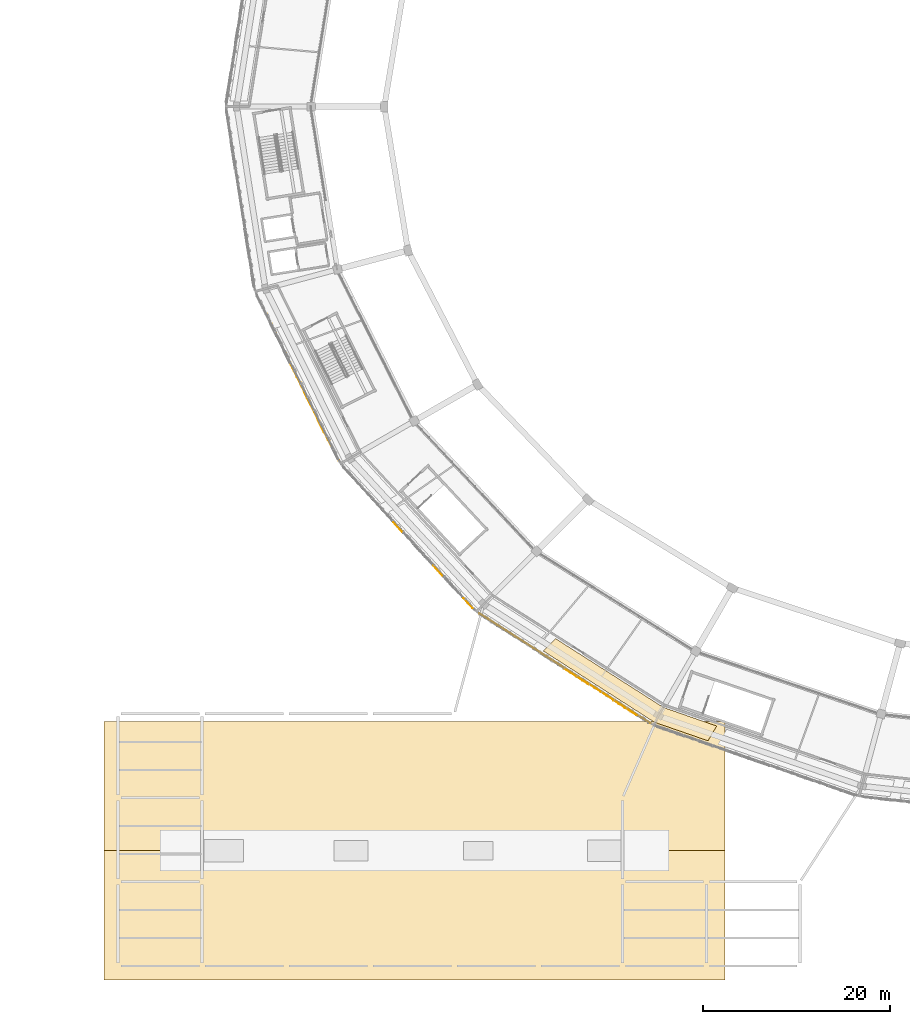
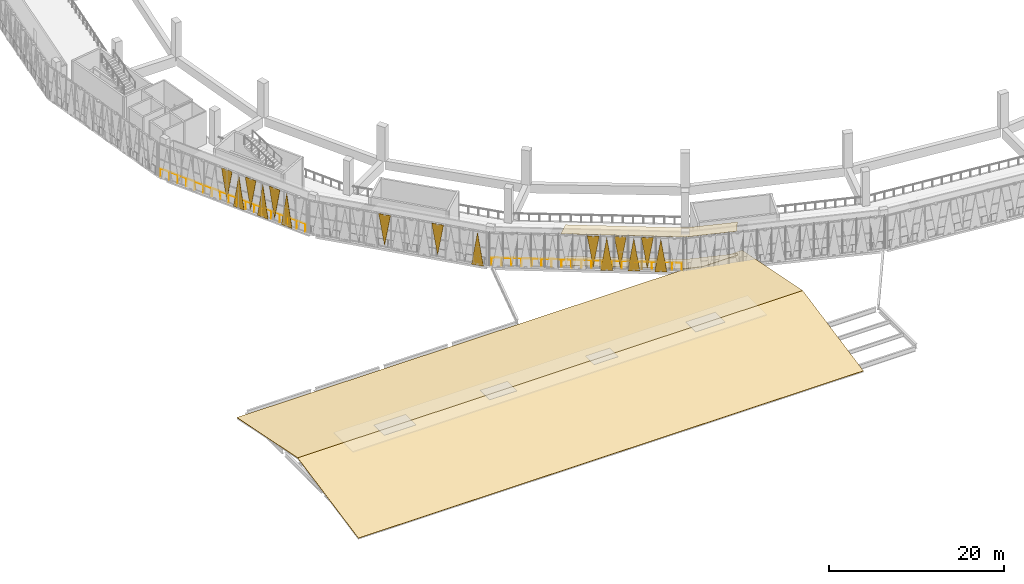
# One storey, part 82 of 108: 19 coverings, 2 railings.
"""IFC4 building model written with IfcOpenShell, lengths in metres."""

from ifc_helpers import new_model, si_unit, direction, frame, origin, origin_2d, place, context, subcontext, project, spatial, polyline, circle, outline, extrude, material, layer, layer_set, type_object, element, save


model = new_model("IFC4")

# Units and contexts
model_context = context("Model", 3, precision=1e-05, world=origin(), true_north=direction((0.0, 1.0)))
body_context = subcontext(model_context, "Body", "Model", "MODEL_VIEW")
ifc_project = project(units=[si_unit("LENGTHUNIT", "METRE"), si_unit("AREAUNIT", "SQUARE_METRE"), si_unit("VOLUMEUNIT", "CUBIC_METRE"), si_unit("PLANEANGLEUNIT", "RADIAN"), si_unit("MASSUNIT", "GRAM", prefix="KILO")], contexts=[model_context])

# Site, building, storey
site_placement = place(None, origin())
site = spatial("IfcSite", under=ifc_project, at=site_placement, CompositionType="ELEMENT")
building_placement = place(site_placement, origin())
building = spatial("IfcBuilding", under=site, at=building_placement, Name="Zevraka Park Crest Stadium", CompositionType="ELEMENT")
storey_placement = place(building_placement, frame((0.0, 0.0, 19.800048828125)))
storey = spatial("IfcBuildingStorey", under=building, at=storey_placement, Name="L04", CompositionType="ELEMENT", Elevation=19.800048828125)

# Coverings
ifc_material_1 = material(Name="Architectural golden-bronze perforated aluminium", Category="aluminium")
ifc_layer_1 = layer(ifc_material_1, 0.034912109375)
ifc_layer_set_1 = layer_set([ifc_layer_1], Name="Architectural golden-bronze perforated aluminium")
covering_type_1 = type_object("IfcCoveringType", Name="CLD01", PredefinedType="CLADDING", material=ifc_layer_set_1)
covering_1_placement = place(storey_placement, frame((28.153076171875, 63.047119140625, 4.52001953125), z_axis=(-0.896168160385, -0.443714539024, 0.00019018377), x_axis=(-0.443714547049, 0.896168176593, 0.0)))
element("IfcCovering", 1, at=covering_1_placement, inside=storey, type_object=covering_type_1, Name="Triangular Golden-Bronze Perforated Cladding L04-13-6", PredefinedType="CLADDING", context=body_context, shape_type="SweptSolid", body=[
    extrude(outline(polyline([(0.0, 0.0), (1.480642061984624, 0.0), (0.7400448752125611, 4.3000489058910984), (0.0, 0.0)])), origin(), (0.0, 0.0, -1.0), 0.034912109375),
])
covering_2_placement = place(storey_placement, frame((28.22412109375, 62.903076171875, -0.219970703125), z_axis=(-0.896200626704, -0.443648985736, 0.000118961507), x_axis=(0.443648988875, -0.896200633045, 0.0)))
element("IfcCovering", 2, at=covering_2_placement, inside=storey, type_object=covering_type_1, Name="Triangular Golden-Bronze Perforated Cladding L04-13-7", PredefinedType="CLADDING", context=body_context, shape_type="SweptSolid", body=[
    extrude(outline(polyline([(0.0, 0.0), (1.4808608570056243, 0.0), (0.7401552996495949, 4.579834016781541), (0.0, 0.0)])), origin(), (0.0, 0.0, -1.0), 0.034912109375),
])
covering_3_placement = place(storey_placement, frame((29.610107421875, 60.10595703125, 4.52001953125), z_axis=(0.895872759061, 0.444310698754, 5.0452586e-05), x_axis=(-0.44431069932, 0.895872760201, 0.0)))
element("IfcCovering", 3, at=covering_3_placement, inside=storey, type_object=covering_type_1, Name="Triangular Golden-Bronze Perforated Cladding L04-13-8", PredefinedType="CLADDING", context=body_context, shape_type="SweptSolid", body=[
    extrude(outline(polyline([(0.0, 0.0), (1.481402824662643, 0.0), (0.7411388502025134, -4.300048833597808), (0.0, 0.0)])), origin(), (0.0, 0.0, -1.0), 0.034912109375),
])
covering_4_placement = place(storey_placement, frame((29.680908203125, 59.962890625, -0.219970703125), z_axis=(-0.896168173435, -0.443714545485, 8.3951629e-05), x_axis=(0.443714547049, -0.896168176593, 0.0)))
element("IfcCovering", 4, at=covering_4_placement, inside=storey, type_object=covering_type_1, Name="Triangular Golden-Bronze Perforated Cladding L04-13-9", PredefinedType="CLADDING", context=body_context, shape_type="SweptSolid", body=[
    extrude(outline(polyline([(0.0, 0.0), (1.480642061984624, -6.776263578034403e-21), (0.7409200394475148, 4.579834000514052), (0.0, 0.0)])), origin(), (0.0, 0.0, -1.0), 0.034912109375),
])
covering_5_placement = place(storey_placement, frame((31.06689453125, 57.166015625, 4.52001953125), z_axis=(0.895775587615, 0.444506574963, 3.8048094e-05), x_axis=(-0.444506575285, 0.895775588264, 0.0)))
element("IfcCovering", 5, at=covering_5_placement, inside=storey, type_object=covering_type_1, Name="Triangular Golden-Bronze Perforated Cladding L04-13-10", PredefinedType="CLADDING", context=body_context, shape_type="SweptSolid", body=[
    extrude(outline(polyline([(0.0, 0.0), (1.4802007910768735, 3.3881317890172014e-21), (0.7401554820878727, -4.3000488312375), (0.0, 0.0)])), origin(), (0.0, 0.0, -1.0), 0.034912109375),
])
covering_6_placement = place(storey_placement, frame((31.137939453125, 57.02197265625, -0.219970703125), z_axis=(-0.89616816584, -0.443714541725, 0.000154911894), x_axis=(0.443714547049, -0.896168176593, 0.0)))
element("IfcCovering", 6, at=covering_6_placement, inside=storey, type_object=covering_type_1, Name="Triangular Golden-Bronze Perforated Cladding L04-13-11", PredefinedType="CLADDING", context=body_context, shape_type="SweptSolid", body=[
    extrude(outline(polyline([(0.0, 0.0), (1.480642061984624, 0.0), (0.7402636662712996, 4.579834039327731), (0.0, 0.0)])), origin(), (0.0, 0.0, -1.0), 0.034912109375),
])
covering_7_placement = place(storey_placement, frame((39.43994140625, 46.470947265625, 4.52001953125), z_axis=(0.736691824454, 0.676228626586, 1.9196861e-05), x_axis=(-0.67622862671, 0.73669182459, 0.0)))
element("IfcCovering", 7, at=covering_7_placement, inside=storey, type_object=covering_type_1, Name="Triangular Golden-Bronze Perforated Cladding L04-14-6", PredefinedType="CLADDING", context=body_context, shape_type="SweptSolid", body=[
    extrude(outline(polyline([(0.0, 0.0), (1.4253569716340697, -1.6940658945086007e-21), (0.7127684140182788, -4.300048828917326), (0.0, 0.0)])), origin(), (0.0, 0.0, -1.0), 0.034912109375),
])
covering_8_placement = place(storey_placement, frame((43.72607421875, 41.800048828125, 4.52001953125), z_axis=(0.736947844545, 0.675949603983, 8.5413888e-05), x_axis=(-0.675949606449, 0.736947847233, 0.0)))
element("IfcCovering", 8, at=covering_8_placement, inside=storey, type_object=covering_type_1, Name="Triangular Golden-Bronze Perforated Cladding L04-14-10", PredefinedType="CLADDING", context=body_context, shape_type="SweptSolid", body=[
    extrude(outline(polyline([(0.0, 0.0), (1.4248617891578852, 1.3552527156068805e-20), (0.7119283682264674, -4.300048843810572), (0.0, 0.0)])), origin(), (0.0, 0.0, -1.0), 0.034912109375),
])
covering_9_placement = place(storey_placement, frame((45.97802734375, 39.345947265625, -0.219970703125), z_axis=(-0.73669182447, -0.6762286266, 1.8024112e-05), x_axis=(0.67622862671, -0.73669182459, 0.0)))
element("IfcCovering", 9, at=covering_9_placement, inside=storey, type_object=covering_type_1, Name="Triangular Golden-Bronze Perforated Cladding L04-14-13", PredefinedType="CLADDING", context=body_context, shape_type="SweptSolid", body=[
    extrude(outline(polyline([(0.0, 0.0), (1.4253569716340697, -3.3881317890172014e-21), (0.712588557615791, 4.579833985118923), (0.0, 0.0)])), origin(), (0.0, 0.0, -1.0), 0.034912109375),
])
covering_10_placement = place(storey_placement, frame((58.007080078125, 31.037109375, 4.52001953125), z_axis=(0.53966931609, 0.841877076293, 0.000132978723), x_axis=(-0.841877083737, 0.539669320861, 0.0)))
element("IfcCovering", 10, at=covering_10_placement, inside=storey, type_object=covering_type_1, Name="Triangular Golden-Bronze Perforated Cladding L04-15-8", PredefinedType="CLADDING", context=body_context, shape_type="SweptSolid", body=[
    extrude(outline(polyline([(0.0, 0.0), (1.383858861354129, 1.3552527156068805e-20), (0.6917159906902037, -4.300048866144615), (0.0, 0.0)])), origin(), (0.0, 0.0, -1.0), 0.034912109375),
])
covering_11_placement = place(storey_placement, frame((58.14208984375, 30.950927734375, -0.219970703125), z_axis=(0.540374248982, 0.841424785213, 4.32092e-05), x_axis=(0.841424785998, -0.540374249486, 0.0)))
element("IfcCovering", 11, at=covering_11_placement, inside=storey, type_object=covering_type_1, Name="Triangular Golden-Bronze Perforated Cladding L04-15-9", PredefinedType="CLADDING", context=body_context, shape_type="SweptSolid", body=[
    extrude(outline(polyline([(0.0, 0.0), (1.38431258652916, 6.776263578034403e-21), (0.6918481543048638, -4.579833988650356), (0.0, 0.0)])), origin(), (0.0, 0.0, -1.0), 0.034912109375),
])
covering_12_placement = place(storey_placement, frame((60.60595703125, 29.3701171875, 4.52001953125), z_axis=(-0.539669319947, -0.84187708231, 5.8215753e-05), x_axis=(-0.841877083737, 0.539669320861, 0.0)))
element("IfcCovering", 12, at=covering_12_placement, inside=storey, type_object=covering_type_1, Name="Triangular Golden-Bronze Perforated Cladding L04-15-10", PredefinedType="CLADDING", context=body_context, shape_type="SweptSolid", body=[
    extrude(outline(polyline([(0.0, 0.0), (1.383858861354129, -6.776263578034403e-21), (0.6911889698690501, 4.300048835411593), (0.0, 0.0)])), origin(), (0.0, 0.0, -1.0), 0.034912109375),
])
covering_13_placement = place(storey_placement, frame((60.740966796875, 29.282958984375, -0.219970703125), z_axis=(-0.539794341765, -0.841796927746, 3.2198154e-05), x_axis=(0.841796928182, -0.539794342045, 0.0)))
element("IfcCovering", 13, at=covering_13_placement, inside=storey, type_object=covering_type_1, Name="Triangular Golden-Bronze Perforated Cladding L04-15-11", PredefinedType="CLADDING", context=body_context, shape_type="SweptSolid", body=[
    extrude(outline(polyline([(0.0, 0.0), (1.3839906318215187, 0.0), (0.691320710798344, 4.579833986749005), (0.0, 0.0)])), origin(), (0.0, 0.0, -1.0), 0.034912109375),
])
covering_14_placement = place(storey_placement, frame((63.205078125, 27.701904296875, 4.52001953125), z_axis=(0.540294068724, 0.841476271524, 6.1351737e-05), x_axis=(-0.841476273108, 0.540294069741, 0.0)))
element("IfcCovering", 14, at=covering_14_placement, inside=storey, type_object=covering_type_1, Name="Triangular Golden-Bronze Perforated Cladding L04-15-12", PredefinedType="CLADDING", context=body_context, shape_type="SweptSolid", body=[
    extrude(outline(polyline([(0.0, 0.0), (1.384518018787818, 0.0), (0.6918481323074307, -4.300048836217768), (0.0, 0.0)])), origin(), (0.0, 0.0, -1.0), 0.034912109375),
])
covering_15_placement = place(storey_placement, frame((63.340087890625, 27.615966796875, -0.219970703125), z_axis=(0.540195363018, 0.841539639055, 7.5322864e-05), x_axis=(0.841539641442, -0.54019536455, 0.0)))
element("IfcCovering", 15, at=covering_15_placement, inside=storey, type_object=covering_type_1, Name="Triangular Golden-Bronze Perforated Cladding L04-15-13", PredefinedType="CLADDING", context=body_context, shape_type="SweptSolid", body=[
    extrude(outline(polyline([(0.0, 0.0), (1.382963204657725, 1.3552527156068805e-20), (0.6918480966037213, -4.57983399736692), (0.0, 0.0)])), origin(), (0.0, 0.0, -1.0), 0.034912109375),
])
ifc_material_2 = material(Name="Perforated acoustic mineral-fibre suspended ceiling", Category="other")
ifc_layer_2 = layer(ifc_material_2, 0.02490234375)
ifc_layer_set_2 = layer_set([ifc_layer_2], Name="Perforated acoustic mineral-fibre suspended ceiling")
covering_type_2 = type_object("IfcCoveringType", Name="CLG01", PredefinedType="CEILING", material=ifc_layer_set_2)
covering_16_placement = place(storey_placement, frame((0.0, 0.0, 4.39990234375)))
element("IfcCovering", 16, at=covering_16_placement, inside=storey, type_object=covering_type_2, Name="Acoustic Ceiling Hospitality Suite L04-036", PredefinedType="CEILING", context=body_context, shape_type="SweptSolid", body=[
    extrude(outline(polyline([(54.51904296875, 33.72705078125), (55.847900390625, 35.0400390625), (67.362060546875, 27.693115234375), (67.383056640625, 27.681884765625), (67.404052734375, 27.673095703125), (73.087890625, 25.68701171875), (72.152099609375, 24.10888671875), (66.422119140625, 26.092041015625), (54.51904296875, 33.72705078125)])), origin(), (0.0, 0.0, 1.0), 0.025146484375),
])
ifc_material_3 = material(Name="Honed terrazzo and slip-resistant sports flooring", Category="other")
ifc_layer_3 = layer(ifc_material_3, 0.0400390625)
ifc_layer_set_3 = layer_set([ifc_layer_3], Name="Honed terrazzo and slip-resistant sports flooring")
covering_type_3 = type_object("IfcCoveringType", Name="FLR01", PredefinedType="FLOORING", material=ifc_layer_set_3)
covering_17_placement = place(storey_placement, origin())
element("IfcCovering", 17, at=covering_17_placement, inside=storey, type_object=covering_type_3, Name="Terrazzo Floor Finish Hospitality Suite L04-036", PredefinedType="FLOORING", context=body_context, shape_type="SweptSolid", body=[
    extrude(outline(polyline([(54.51904296875, 33.72705078125), (55.847900390625, 35.0400390625), (67.362060546875, 27.693115234375), (67.383056640625, 27.681884765625), (67.404052734375, 27.673095703125), (73.087890625, 25.68701171875), (72.152099609375, 24.10888671875), (66.422119140625, 26.092041015625), (54.51904296875, 33.72705078125)])), origin(), (0.0, 0.0, 1.0), 0.0400390625),
])

# Railings
ifc_material_4 = material(Name="Galvanised and bronze-finished steel balustrade", Category="steel")
railing_type = type_object("IfcRailingType", Name="GR01", PredefinedType="GUARDRAIL", material=ifc_material_4)
railing_1_placement = place(storey_placement, frame((65.98193359375, 26.00390625, 0.0)))
element("IfcRailing", 18, at=railing_1_placement, inside=storey, type_object=railing_type, Name="Deck Edge Protection Guardrail GR01 L04-21", PredefinedType="GUARDRAIL", context=body_context, shape_type="SweptSolid", body=[
    extrude(circle(Radius=0.02392578125, at=origin_2d()), frame((0.0, 0.0, 1.076171875), z_axis=(-0.84169215784, 0.539957694111, 0.0), x_axis=(-0.539957694111, -0.84169215784, 0.0)), (0.0, 0.0, 1.0), 21.75732421875),
    extrude(circle(Radius=0.02099609375, at=origin_2d()), origin(), (0.0, 0.0, 1.0), 1.052001953125),
    extrude(circle(Radius=0.02099609375, at=origin_2d()), frame((-0.9638671875, 0.618408203125, 0.0)), (0.0, 0.0, 1.0), 1.052001953125),
    extrude(circle(Radius=0.02099609375, at=origin_2d()), frame((-1.927734375, 1.236572265625, 0.0)), (0.0, 0.0, 1.0), 1.052001953125),
    extrude(circle(Radius=0.02099609375, at=origin_2d()), frame((-2.8916015625, 1.85498046875, 0.0)), (0.0, 0.0, 1.0), 1.052001953125),
    extrude(circle(Radius=0.02099609375, at=origin_2d()), frame((-3.85546875, 2.473388671875, 0.0)), (0.0, 0.0, 1.0), 1.052001953125),
    extrude(circle(Radius=0.02099609375, at=origin_2d()), frame((-4.819091796875, 3.091552734375, 0.0)), (0.0, 0.0, 1.0), 1.052001953125),
    extrude(circle(Radius=0.02099609375, at=origin_2d()), frame((-5.782958984375, 3.7099609375, 0.0)), (0.0, 0.0, 1.0), 1.052001953125),
    extrude(circle(Radius=0.02099609375, at=origin_2d()), frame((-6.746826171875, 4.328125, 0.0)), (0.0, 0.0, 1.0), 1.052001953125),
    extrude(circle(Radius=0.02099609375, at=origin_2d()), frame((-7.710693359375, 4.946533203125, 0.0)), (0.0, 0.0, 1.0), 1.052001953125),
    extrude(circle(Radius=0.02099609375, at=origin_2d()), frame((-8.674560546875, 5.56494140625, 0.0)), (0.0, 0.0, 1.0), 1.052001953125),
    extrude(circle(Radius=0.02099609375, at=origin_2d()), frame((-9.638427734375, 6.18310546875, 0.0)), (0.0, 0.0, 1.0), 1.052001953125),
    extrude(circle(Radius=0.02099609375, at=origin_2d()), frame((-10.602294921875, 6.801513671875, 0.0)), (0.0, 0.0, 1.0), 1.052001953125),
    extrude(circle(Radius=0.02099609375, at=origin_2d()), frame((-11.566162109375, 7.419921875, 0.0)), (0.0, 0.0, 1.0), 1.052001953125),
    extrude(circle(Radius=0.02099609375, at=origin_2d()), frame((-12.530029296875, 8.0380859375, 0.0)), (0.0, 0.0, 1.0), 1.052001953125),
    extrude(circle(Radius=0.02099609375, at=origin_2d()), frame((-13.493896484375, 8.656494140625, 0.0)), (0.0, 0.0, 1.0), 1.052001953125),
    extrude(circle(Radius=0.02099609375, at=origin_2d()), frame((-14.45751953125, 9.274658203125, 0.0)), (0.0, 0.0, 1.0), 1.052001953125),
    extrude(circle(Radius=0.02099609375, at=origin_2d()), frame((-15.42138671875, 9.89306640625, 0.0)), (0.0, 0.0, 1.0), 1.052001953125),
    extrude(circle(Radius=0.02099609375, at=origin_2d()), frame((-16.38525390625, 10.511474609375, 0.0)), (0.0, 0.0, 1.0), 1.052001953125),
    extrude(circle(Radius=0.02099609375, at=origin_2d()), frame((-17.34912109375, 11.129638671875, 0.0)), (0.0, 0.0, 1.0), 1.052001953125),
    extrude(circle(Radius=0.02099609375, at=origin_2d()), frame((-18.31298828125, 11.748046875, 0.0)), (0.0, 0.0, 1.0), 1.052001953125),
])
railing_2_placement = place(storey_placement, frame((32.659912109375, 54.10791015625, 0.0)))
element("IfcRailing", 19, at=railing_2_placement, inside=storey, type_object=railing_type, Name="Deck Edge Protection Guardrail GR01 L04-23", PredefinedType="GUARDRAIL", context=body_context, shape_type="SweptSolid", body=[
    extrude(circle(Radius=0.02392578125, at=origin_2d()), frame((0.0, 0.0, 1.076171875), z_axis=(-0.443938119451, 0.896057445758, 0.0), x_axis=(-0.896057445758, -0.443938119451, 0.0)), (0.0, 0.0, 1.0), 19.8447265625),
    extrude(circle(Radius=0.02099609375, at=origin_2d()), origin(), (0.0, 0.0, 1.0), 1.052001953125),
    extrude(circle(Radius=0.02099609375, at=origin_2d()), frame((-0.518310546875, 1.0458984375, 0.0)), (0.0, 0.0, 1.0), 1.052001953125),
    extrude(circle(Radius=0.02099609375, at=origin_2d()), frame((-1.036376953125, 2.092041015625, 0.0)), (0.0, 0.0, 1.0), 1.052001953125),
    extrude(circle(Radius=0.02099609375, at=origin_2d()), frame((-1.5546875, 3.137939453125, 0.0)), (0.0, 0.0, 1.0), 1.052001953125),
    extrude(circle(Radius=0.02099609375, at=origin_2d()), frame((-2.072998046875, 4.18408203125, 0.0)), (0.0, 0.0, 1.0), 1.052001953125),
    extrude(circle(Radius=0.02099609375, at=origin_2d()), frame((-2.591064453125, 5.22998046875, 0.0)), (0.0, 0.0, 1.0), 1.052001953125),
    extrude(circle(Radius=0.02099609375, at=origin_2d()), frame((-3.109375, 6.27587890625, 0.0)), (0.0, 0.0, 1.0), 1.052001953125),
    extrude(circle(Radius=0.02099609375, at=origin_2d()), frame((-3.627685546875, 7.322021484375, 0.0)), (0.0, 0.0, 1.0), 1.052001953125),
    extrude(circle(Radius=0.02099609375, at=origin_2d()), frame((-4.145751953125, 8.367919921875, 0.0)), (0.0, 0.0, 1.0), 1.052001953125),
    extrude(circle(Radius=0.02099609375, at=origin_2d()), frame((-4.6640625, 9.4140625, 0.0)), (0.0, 0.0, 1.0), 1.052001953125),
    extrude(circle(Radius=0.02099609375, at=origin_2d()), frame((-5.18212890625, 10.4599609375, 0.0)), (0.0, 0.0, 1.0), 1.052001953125),
    extrude(circle(Radius=0.02099609375, at=origin_2d()), frame((-5.700439453125, 11.506103515625, 0.0)), (0.0, 0.0, 1.0), 1.052001953125),
    extrude(circle(Radius=0.02099609375, at=origin_2d()), frame((-6.21875, 12.552001953125, 0.0)), (0.0, 0.0, 1.0), 1.052001953125),
    extrude(circle(Radius=0.02099609375, at=origin_2d()), frame((-6.73681640625, 13.597900390625, 0.0)), (0.0, 0.0, 1.0), 1.052001953125),
    extrude(circle(Radius=0.02099609375, at=origin_2d()), frame((-7.255126953125, 14.64404296875, 0.0)), (0.0, 0.0, 1.0), 1.052001953125),
    extrude(circle(Radius=0.02099609375, at=origin_2d()), frame((-7.7734375, 15.68994140625, 0.0)), (0.0, 0.0, 1.0), 1.052001953125),
    extrude(circle(Radius=0.02099609375, at=origin_2d()), frame((-8.29150390625, 16.736083984375, 0.0)), (0.0, 0.0, 1.0), 1.052001953125),
    extrude(circle(Radius=0.02099609375, at=origin_2d()), frame((-8.809814453125, 17.781982421875, 0.0)), (0.0, 0.0, 1.0), 1.052001953125),
])

# Coverings
ifc_material_5 = material(Name="Insulated standing-seam acoustic aluminium roofing", Category="aluminium")
ifc_layer_4 = layer(ifc_material_5, 0.06005859375)
ifc_layer_set_4 = layer_set([ifc_layer_4], Name="Insulated standing-seam acoustic aluminium roofing")
covering_type_4 = type_object("IfcCoveringType", Name="RCV01", PredefinedType="ROOFING", material=ifc_layer_set_4)
covering_18_placement = place(storey_placement, frame((7.5, -1.5, -0.1201171875), z_axis=(0.0, -0.196797422647, 0.980444172016), x_axis=(1.0, 0.0, 0.0)))
element("IfcCovering", 20, at=covering_18_placement, inside=storey, type_object=covering_type_4, Name="Pavilion Wide-Eave Standing-Seam Roofing SWING-ROOF-S", PredefinedType="ROOFING", context=body_context, shape_type="SweptSolid", body=[
    extrude(outline(polyline([(0.0, 0.0), (66.5, 0.0), (66.5, 14.12635012942639), (0.0, 14.12635012942639), (0.0, 0.0)])), origin(), (0.0, 0.0, -1.0), 0.06005859375),
])
covering_19_placement = place(storey_placement, frame((74.0, 26.199951171875, -0.1201171875), z_axis=(0.0, 0.196800757368, 0.980443502655), x_axis=(-1.0, 0.0, 0.0)))
element("IfcCovering", 21, at=covering_19_placement, inside=storey, type_object=covering_type_4, Name="Pavilion Wide-Eave Standing-Seam Roofing SWING-ROOF-N", PredefinedType="ROOFING", context=body_context, shape_type="SweptSolid", body=[
    extrude(outline(polyline([(0.0, 0.0), (66.5, 0.0), (66.5, 14.126110763255166), (0.0, 14.126110763255166), (0.0, 0.0)])), origin(), (0.0, 0.0, -1.0), 0.06005859375),
])

save(model, "model.ifc")
